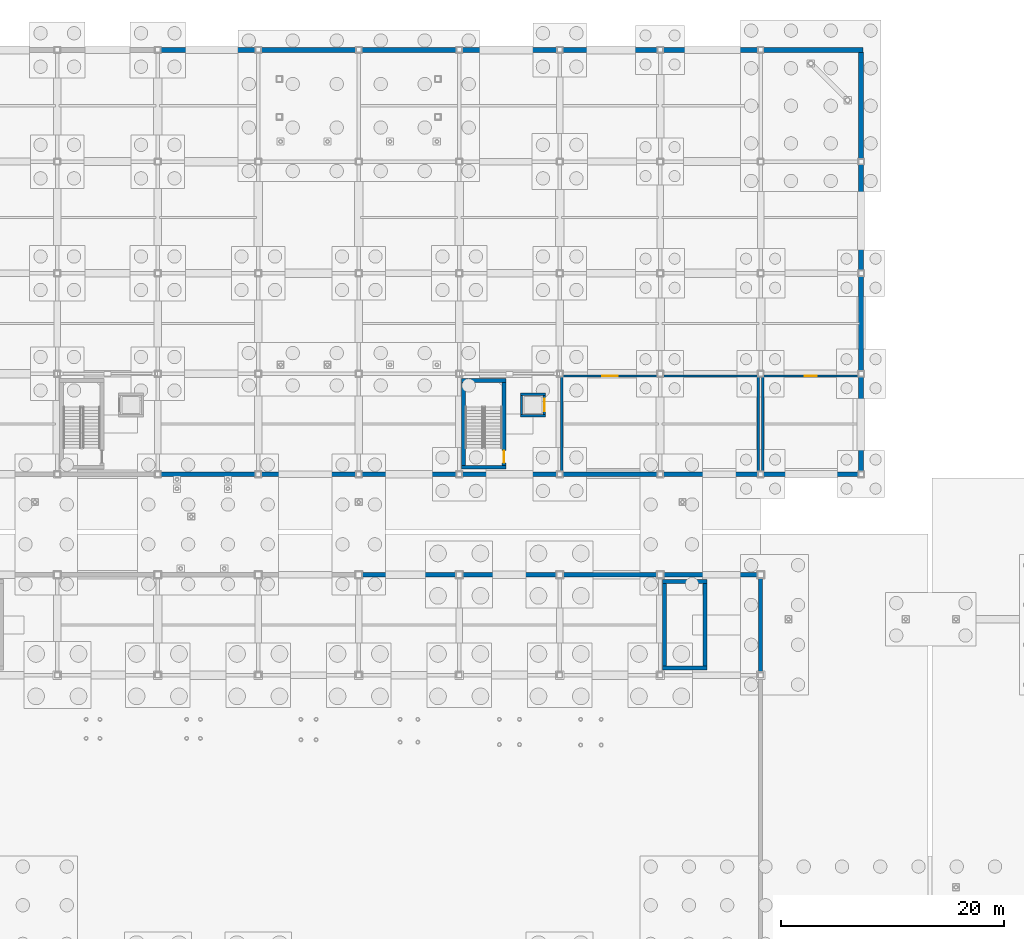
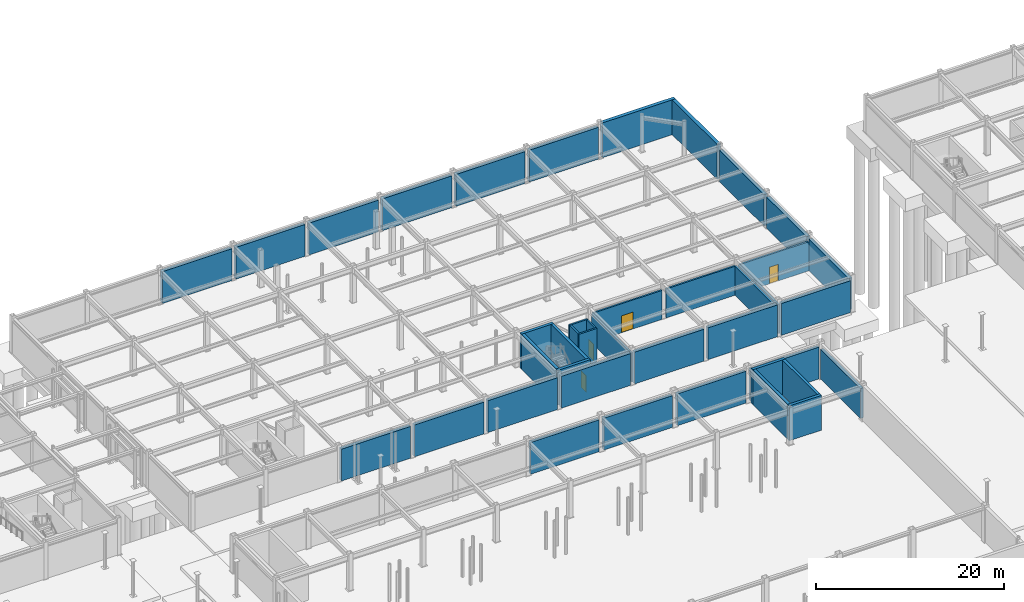
# One storey, part 55 of 74: 41 walls, 4 doors, 4 openings.
"""IFC4 building model written with IfcOpenShell, lengths in metres."""

import ifcopenshell
import ifcopenshell.guid

model = None  # the IFC model being written
_history = None  # IfcOwnerHistory: only IFC2X3 demands one
_inside = {}  # id of a spatial element -> (the spatial element, [elements in it])
_under = {}  # id of a project, library or spatial element -> (it, [spatial elements below it])
_declared = {}  # id of a project -> (the project, [libraries it declares])
_typed = {}  # id of a type object -> (the type object, [elements of that type])
_made_of = {}  # id of a material, layer set ... -> (it, [elements and type objects made of it])


def new_model(schema):
    """Start an empty IFC model of exactly this schema.

    Asked for "IFC4X3", IfcOpenShell would pick the latest addendum, in which some entities
    have other attributes; the version numbers below select the first issue.
    IFC2X3 requires an IfcOwnerHistory on every rooted entity: one is made here for all.
    """
    global model, _history
    if schema == "IFC4X3":
        model = ifcopenshell.file(schema_version=(4, 3, 0, 0))
    else:
        model = ifcopenshell.file(schema=schema)
    _inside.clear()
    _under.clear()
    _declared.clear()
    _typed.clear()
    _made_of.clear()
    _history = None
    if model.schema == "IFC2X3":
        org = make("IfcOrganization", Name="unknown")
        user = make(
            "IfcPersonAndOrganization",
            ThePerson=make("IfcPerson", FamilyName="unknown"),
            TheOrganization=org,
        )
        app = make(
            "IfcApplication",
            ApplicationDeveloper=org,
            Version="unknown",
            ApplicationFullName="unknown",
            ApplicationIdentifier="unknown",
        )
        _history = make(
            "IfcOwnerHistory",
            OwningUser=user,
            OwningApplication=app,
            ChangeAction="ADDED",
            CreationDate=0,
        )
    return model


def make(cls, **values):
    """One entity of the class cls with the attributes given. An attribute that is None is left unset."""
    return model.create_entity(
        cls, **{name: value for name, value in values.items() if value is not None}
    )


def rooted(cls, **values):
    """An entity with a GlobalId (a new one), such as an element, a storey or a relation."""
    return make(cls, GlobalId=ifcopenshell.guid.new(), OwnerHistory=_history, **values)


def si_unit(unit_type, name, prefix=None):
    """IfcSIUnit, for example si_unit("LENGTHUNIT", "METRE", prefix="MILLI")."""
    return make("IfcSIUnit", UnitType=unit_type, Prefix=prefix, Name=name)


def assignment(units):
    """IfcUnitAssignment: the units of a project."""
    return None if units is None else make("IfcUnitAssignment", Units=units)


def point(xyz):
    """IfcCartesianPoint."""
    return None if xyz is None else make("IfcCartesianPoint", Coordinates=xyz)


def direction(xyz):
    """IfcDirection."""
    return None if xyz is None else make("IfcDirection", DirectionRatios=xyz)


def frame(location, z_axis=None, x_axis=None):
    """IfcAxis2Placement3D, a coordinate frame: its origin and axes. An axis left out is left unset."""
    return make(
        "IfcAxis2Placement3D",
        Location=point(location),
        Axis=direction(z_axis),
        RefDirection=direction(x_axis),
    )


def frame_2d(location, x_axis=None):
    """IfcAxis2Placement2D, a coordinate frame in the plane: its origin and x axis."""
    return make(
        "IfcAxis2Placement2D", Location=point(location), RefDirection=direction(x_axis)
    )


def origin():
    """The frame at (0, 0, 0) with its axes left unset."""
    return frame((0.0, 0.0, 0.0))


def place(relative_to, where):
    """IfcLocalPlacement: puts the frame where relative to a parent placement (None: the world)."""
    return make(
        "IfcLocalPlacement", PlacementRelTo=relative_to, RelativePlacement=where
    )


def context(
    kind, dimensions, precision=None, world=None, true_north=None, identifier=None
):
    """IfcGeometricRepresentationContext, for example the 3D "Model" context."""
    return make(
        "IfcGeometricRepresentationContext",
        ContextIdentifier=identifier,
        ContextType=kind,
        CoordinateSpaceDimension=dimensions,
        Precision=precision,
        WorldCoordinateSystem=world,
        TrueNorth=true_north,
    )


def subcontext(parent, identifier, kind, view, scale=None):
    """IfcGeometricRepresentationSubContext, for example "Body" below "Model"."""
    return make(
        "IfcGeometricRepresentationSubContext",
        ContextIdentifier=identifier,
        ContextType=kind,
        ParentContext=parent,
        TargetScale=scale,
        TargetView=view,
    )


def project(units=None, contexts=None):
    """IfcProject with its units and contexts."""
    return rooted(
        "IfcProject",
        Name="project",
        RepresentationContexts=contexts,
        UnitsInContext=assignment(units),
    )


def spatial(cls, under=None, at=None, **own):
    """A site, building, storey or space (cls), placed at a placement, below another one or the project."""
    s = rooted(cls, ObjectPlacement=at, **own)
    if under is not None:
        _under.setdefault(under.id(), (under, []))[1].append(s)
    return s


def profile(cls, at=None, kind="AREA", **sizes):
    """A parametric profile (cls). Its sizes go by their IFC names, for example OverallWidth=200.0."""
    return make(cls, ProfileType=kind, Position=at, **sizes)


def rectangle(**sizes):
    """IfcRectangleProfileDef."""
    return profile("IfcRectangleProfileDef", **sizes)


def extrude(swept, where, along, depth):
    """IfcExtrudedAreaSolid: the profile swept, set in the frame where, extruded along a direction by depth."""
    return make(
        "IfcExtrudedAreaSolid",
        SweptArea=swept,
        Position=where,
        ExtrudedDirection=direction(along),
        Depth=depth,
    )


def shape(context_of_items, identifier, shape_type, items):
    """IfcShapeRepresentation: the items that make up one representation, for example the "Body"."""
    return make(
        "IfcShapeRepresentation",
        ContextOfItems=context_of_items,
        RepresentationIdentifier=identifier,
        RepresentationType=shape_type,
        Items=items,
    )


def material(Name=None, Category=None):
    """IfcMaterial."""
    return make("IfcMaterial", Name=Name, Category=Category)


def layer(
    of_material, thickness, ventilated=None, Name=None, Category=None, Priority=None
):
    """IfcMaterialLayer: one layer of a wall or slab, of a material (None: an air gap)."""
    return make(
        "IfcMaterialLayer",
        Material=of_material,
        LayerThickness=thickness,
        IsVentilated=ventilated,
        Name=Name,
        Category=Category,
        Priority=Priority,
    )


def layer_set(layers, Name=None):
    """IfcMaterialLayerSet."""
    return make("IfcMaterialLayerSet", MaterialLayers=layers, LayerSetName=Name)


def made_of(thing, what):
    """Note that an element or type object is made of a material, layer set ...; save() writes the relation."""
    if what is not None:
        _made_of.setdefault(what.id(), (what, []))[1].append(thing)
    return thing


def type_object(cls, material=None, **own):
    """A type object (cls), such as IfcWallType, which elements share."""
    return made_of(rooted(cls, **own), material)


def element(
    cls,
    number,
    at=None,
    inside=None,
    cuts=None,
    type_object=None,
    material=None,
    context=None,
    identifier="Body",
    shape_type=None,
    held_by="IfcProductDefinitionShape",
    body=None,
    shapes=None,
    **own,
):
    """One element of the class cls, such as IfcWall. Its Tag is "e" and its number.

    at: its placement. inside: the storey or other place that contains it. cuts: it is an
    opening in that element (IfcRelVoidsElement). A single representation is given by context,
    identifier, shape_type and body (its items); several are given by shapes. held_by: the class
    of the entity that holds the representations. save() writes the other relations.
    """
    e = rooted(cls, Tag="e%d" % number, ObjectPlacement=at, **own)
    if body is not None:
        shapes = [shape(context, identifier, shape_type, body)]
    if shapes is not None:
        e.Representation = make(held_by, Representations=shapes)
    if inside is not None:
        _inside.setdefault(inside.id(), (inside, []))[1].append(e)
    if cuts is not None:
        rooted(
            "IfcRelVoidsElement", RelatingBuildingElement=cuts, RelatedOpeningElement=e
        )
    if type_object is not None:
        _typed.setdefault(type_object.id(), (type_object, []))[1].append(e)
    return made_of(e, material)


def fill(opening, filler):
    """IfcRelFillsElement: the door or window that sits in an opening."""
    return rooted(
        "IfcRelFillsElement",
        RelatingOpeningElement=opening,
        RelatedBuildingElement=filler,
    )


def aggregate(whole, parts):
    """IfcRelAggregates: a whole, such as a stair, and the parts it consists of."""
    return rooted("IfcRelAggregates", RelatingObject=whole, RelatedObjects=parts)


def save(model, path):
    """Write the relations noted so far, then the file.

    IfcRelAggregates (storeys below a building ...), IfcRelContainedInSpatialStructure (elements
    in a storey), IfcRelDefinesByType, IfcRelAssociatesMaterial and IfcRelDeclares: one each for
    every whole, place, type object, material and project.
    """
    for whole, parts in _under.values():
        aggregate(whole, parts)
    for where, things in _inside.values():
        rooted(
            "IfcRelContainedInSpatialStructure",
            RelatedElements=things,
            RelatingStructure=where,
        )
    for kind, things in _typed.values():
        rooted("IfcRelDefinesByType", RelatedObjects=things, RelatingType=kind)
    for what, things in _made_of.values():
        rooted("IfcRelAssociatesMaterial", RelatedObjects=things, RelatingMaterial=what)
    for by, libraries in _declared.values():
        rooted("IfcRelDeclares", RelatingContext=by, RelatedDefinitions=libraries)
    model.write(path)


model = new_model("IFC4")

# Units and contexts
model_context = context("Model", 3, precision=1e-05, world=origin(), true_north=direction((0.0, 1.0)))
body_context = subcontext(model_context, "Body", "Model", "MODEL_VIEW")
ifc_project = project(units=[si_unit("LENGTHUNIT", "METRE"), si_unit("AREAUNIT", "SQUARE_METRE"), si_unit("VOLUMEUNIT", "CUBIC_METRE"), si_unit("PLANEANGLEUNIT", "RADIAN"), si_unit("MASSUNIT", "GRAM", prefix="KILO")], contexts=[model_context])

# Site, building, storey
site_placement = place(None, origin())
site = spatial("IfcSite", under=ifc_project, at=site_placement, CompositionType="ELEMENT")
building_placement = place(site_placement, origin())
building = spatial("IfcBuilding", under=site, at=building_placement, Name="Suzunagisa Mobility Hub", CompositionType="ELEMENT")
storey_placement = place(building_placement, frame((0.0, 0.0, -4.800048828125)))
storey = spatial("IfcBuildingStorey", under=building, at=storey_placement, Name="B1", CompositionType="ELEMENT", Elevation=-4.800048828125)

# Walls
ifc_material_1 = material(Name="Concrete C35/45", Category="concrete")
ifc_layer_1 = layer(ifc_material_1, 0.419921875)
ifc_layer_set_1 = layer_set([ifc_layer_1], Name="Concrete C35/45")
wall_type_1 = type_object("IfcWallType", Name="Exterior Wall EW-02 420mm", PredefinedType="USERDEFINED", material=ifc_layer_set_1)
for number, where, z_axis, x_axis, name in (
    (1, (63.25, 80.0, 0.0), (0.0, 0.0, 1.0), (1.0, 0.0, 0.0), "B1 Perimeter Retaining Wall RW-138"),
    (2, (72.25, 80.0, 0.0), (0.0, 0.0, 1.0), (1.0, 0.0, 0.0), "B1 Perimeter Retaining Wall RW-139"),
    (3, (81.25, 80.0, 0.0), (0.0, 0.0, 1.0), (1.0, 0.0, 0.0), "B1 Perimeter Retaining Wall RW-140"),
    (4, (90.25, 80.0, 0.0), (0.0, 0.0, 1.0), (1.0, 0.0, 0.0), "B1 Perimeter Retaining Wall RW-141"),
    (5, (99.25, 80.0, 0.0), (0.0, 0.0, 1.0), (1.0, 0.0, 0.0), "B1 Perimeter Retaining Wall RW-142"),
    (6, (108.25, 80.0, 0.0), (0.0, 0.0, 1.0), (1.0, 0.0, 0.0), "B1 Perimeter Retaining Wall RW-143"),
    (7, (117.25, 80.0, 0.0), (0.0, 0.0, 1.0), (1.0, 0.0, 0.0), "B1 Perimeter Retaining Wall RW-144"),
):
    element("IfcWall", number, at=place(storey_placement, frame(where, z_axis=z_axis, x_axis=x_axis)), inside=storey, type_object=wall_type_1, Name=name, ObjectType="RETAINING WALL", PredefinedType="USERDEFINED", context=body_context, shape_type="SweptSolid", body=[
        extrude(rectangle(XDim=8.5, YDim=0.419921875, at=frame_2d((4.25, 0.0))), origin(), (0.0, 0.0, 1.0), 4.130126953125),
    ])
for number, where, z_axis, x_axis, name in (
    (8, (126.0, 80.25, 0.0), (0.0, 0.0, 1.0), (0.0, 1.0, 0.0), "B1 Perimeter Retaining Wall RW-145"),
    (9, (126.0, 89.25, 0.0), (0.0, 0.0, 1.0), (0.0, 1.0, 0.0), "B1 Perimeter Retaining Wall RW-146"),
):
    element("IfcWall", number, at=place(storey_placement, frame(where, z_axis=z_axis, x_axis=x_axis)), inside=storey, type_object=wall_type_1, Name=name, ObjectType="RETAINING WALL", PredefinedType="USERDEFINED", context=body_context, shape_type="SweptSolid", body=[
        extrude(rectangle(XDim=8.5, YDim=0.419921875, at=frame_2d((4.25, 0.0))), origin(), (0.0, 0.0, 1.0), 4.070068359375),
    ])
wall_1_placement = place(storey_placement, frame((126.0, 98.25, 0.0), z_axis=(0.0, 0.0, 1.0), x_axis=(0.0, 1.0, 0.0)))
element("IfcWall", 10, at=wall_1_placement, inside=storey, type_object=wall_type_1, Name="B1 Perimeter Retaining Wall RW-147", ObjectType="RETAINING WALL", PredefinedType="USERDEFINED", context=body_context, shape_type="SweptSolid", body=[
    extrude(rectangle(XDim=9.5, YDim=0.419921875, at=frame_2d((4.75, 0.0))), origin(), (0.0, 0.0, 1.0), 4.070068359375),
])
wall_2_placement = place(storey_placement, frame((126.0, 108.25, 0.0), z_axis=(0.0, 0.0, 1.0), x_axis=(0.0, 1.0, 0.0)))
element("IfcWall", 11, at=wall_2_placement, inside=storey, type_object=wall_type_1, Name="B1 Perimeter Retaining Wall RW-148", ObjectType="RETAINING WALL", PredefinedType="USERDEFINED", context=body_context, shape_type="SweptSolid", body=[
    extrude(rectangle(XDim=9.56005859375, YDim=0.419921875, at=frame_2d((4.780029296875, 0.0))), origin(), (0.0, 0.0, 1.0), 4.52001953125),
])
wall_3_placement = place(storey_placement, frame((126.18994140625, 118.0, 0.0), z_axis=(0.0, 0.0, 1.0), x_axis=(-1.0, 0.0, 0.0)))
element("IfcWall", 12, at=wall_3_placement, inside=storey, type_object=wall_type_1, Name="B1 Perimeter Retaining Wall RW-149", ObjectType="RETAINING WALL", PredefinedType="USERDEFINED", context=body_context, shape_type="SweptSolid", body=[
    extrude(rectangle(XDim=8.93994140625, YDim=0.419921875, at=frame_2d((4.469970703125, 0.0))), origin(), (0.0, 0.0, 1.0), 4.52001953125),
])
for number, where, z_axis, x_axis, name in (
    (13, (116.75, 118.0, 0.0), (0.0, 0.0, 1.0), (-1.0, 0.0, 0.0), "B1 Perimeter Retaining Wall RW-150"),
    (14, (107.75, 118.0, 0.0), (0.0, 0.0, 1.0), (-1.0, 0.0, 0.0), "B1 Perimeter Retaining Wall RW-151"),
    (15, (98.75, 118.0, 0.0), (0.0, 0.0, 1.0), (-1.0, 0.0, 0.0), "B1 Perimeter Retaining Wall RW-152"),
    (16, (89.75, 118.0, 0.0), (0.0, 0.0, 1.0), (-1.0, 0.0, 0.0), "B1 Perimeter Retaining Wall RW-153"),
    (17, (80.75, 118.0, 0.0), (0.0, 0.0, 1.0), (-1.0, 0.0, 0.0), "B1 Perimeter Retaining Wall RW-154"),
    (18, (71.75, 118.0, 0.0), (0.0, 0.0, 1.0), (-1.0, 0.0, 0.0), "B1 Perimeter Retaining Wall RW-155"),
):
    element("IfcWall", number, at=place(storey_placement, frame(where, z_axis=z_axis, x_axis=x_axis)), inside=storey, type_object=wall_type_1, Name=name, ObjectType="RETAINING WALL", PredefinedType="USERDEFINED", context=body_context, shape_type="SweptSolid", body=[
        extrude(rectangle(XDim=8.5, YDim=0.419921875, at=frame_2d((4.25, 0.0))), origin(), (0.0, 0.0, 1.0), 4.130126953125),
    ])
ifc_layer_2 = layer(ifc_material_1, 0.3798828125)
ifc_layer_set_2 = layer_set([ifc_layer_2], Name="Concrete C35/45")
wall_type_2 = type_object("IfcWallType", Name="Exterior Wall EW-06 380mm", PredefinedType="USERDEFINED", material=ifc_layer_set_2)
wall_4_placement = place(storey_placement, frame((117.0, 62.25, 0.0), z_axis=(0.0, 0.0, 1.0), x_axis=(0.0, 1.0, 0.0)))
element("IfcWall", 19, at=wall_4_placement, inside=storey, type_object=wall_type_2, Name="B1 Perimeter Retaining Wall RW-60", ObjectType="RETAINING WALL", PredefinedType="USERDEFINED", context=body_context, shape_type="SweptSolid", body=[
    extrude(rectangle(XDim=8.449951171875, YDim=0.3798828125, at=frame_2d((4.22509765625, 0.0))), origin(), (0.0, 0.0, 1.0), 3.8701171875),
])
for number, where, z_axis, x_axis, name in (
    (20, (116.699951171875, 71.0, 0.0), (0.0, 0.0, 1.0), (-1.0, 0.0, 0.0), "B1 Perimeter Retaining Wall RW-61"),
    (21, (107.699951171875, 71.0, 0.0), (0.0, 0.0, 1.0), (-1.0, 0.0, 0.0), "B1 Perimeter Retaining Wall RW-62"),
    (22, (98.699951171875, 71.0, 0.0), (0.0, 0.0, 1.0), (-1.0, 0.0, 0.0), "B1 Perimeter Retaining Wall RW-63"),
    (23, (89.699951171875, 71.0, 0.0), (0.0, 0.0, 1.0), (-1.0, 0.0, 0.0), "B1 Perimeter Retaining Wall RW-64"),
):
    element("IfcWall", number, at=place(storey_placement, frame(where, z_axis=z_axis, x_axis=x_axis)), inside=storey, type_object=wall_type_2, Name=name, ObjectType="RETAINING WALL", PredefinedType="USERDEFINED", context=body_context, shape_type="SweptSolid", body=[
        extrude(rectangle(XDim=8.39990234375, YDim=0.3798828125, at=frame_2d((4.199951171875, 0.0))), origin(), (0.0, 0.0, 1.0), 4.130126953125),
    ])

# Wall, opening, door
ifc_material_2 = material(Name="Fire-Rated Gypsum Stud Partition", Category="gypsum")
ifc_layer_3 = layer(ifc_material_2, 0.2099609375)
ifc_layer_set_3 = layer_set([ifc_layer_3], Name="Fire-Rated Gypsum Stud Partition")
wall_type_3 = type_object("IfcWallType", Name="Interior Wall IW-03 210mm", PredefinedType="PARTITIONING", material=ifc_layer_set_3)
wall_5_placement = place(storey_placement, frame((97.625, 85.330078125, 0.0), z_axis=(0.0, 0.0, 1.0), x_axis=(0.0, 1.0, 0.0)))
wall_5 = element("IfcWall", 24, at=wall_5_placement, inside=storey, type_object=wall_type_3, Name="B1 Lift LF-07 Shaft Front Wall", PredefinedType="PARTITIONING", context=body_context, shape_type="SweptSolid", body=[
    extrude(rectangle(XDim=1.739990234375, YDim=0.2099609375, at=frame_2d((0.8701171875, 0.0))), origin(), (0.0, 0.0, 1.0), 4.52001953125),
])
opening_1_placement = place(wall_5_placement, frame((0.320068359375, 0.0, 0.0)))
opening_1 = element("IfcOpeningElement", 25, at=opening_1_placement, cuts=wall_5, Name="Opening LD-01", PredefinedType="OPENING", context=body_context, shape_type="SweptSolid", body=[
    extrude(rectangle(XDim=1.10009765625, YDim=2.14990234375, at=frame_2d((0.550048828125, 1.074951171875))), frame((0.0, 0.115966796875, 0.0), z_axis=(0.0, -1.0, 0.0), x_axis=(1.0, 0.0, 0.0)), (0.0, 0.0, 1.0), 0.23193359375),
])
ifc_material_3 = material(Name="Brushed Stainless Steel SUS304", Category="metal")
door_type_1 = type_object("IfcDoorType", Name="Lift Landing Sliding Door LD-01 1100x2150", OperationType="SLIDING_TO_LEFT", PredefinedType="DOOR", material=ifc_material_3)
door_1_placement = place(opening_1_placement, origin())
door_1 = element("IfcDoor", 26, at=door_1_placement, inside=storey, type_object=door_type_1, Name="B1 Lift LF-07 Sliding Landing Door", OperationType="SLIDING_TO_LEFT", OverallHeight=2.14990234375, OverallWidth=1.10009765625, PredefinedType="DOOR", context=body_context, shape_type="SweptSolid", body=[
    extrude(rectangle(XDim=1.10009765625, YDim=2.14990234375, at=frame_2d((0.550048828125, 1.074951171875))), frame((0.0, 0.02490234375, 0.0), z_axis=(0.0, -1.0, 0.0), x_axis=(1.0, 0.0, 0.0)), (0.0, 0.0, 1.0), 0.050048828125),
])
fill(opening_1, door_1)

# Walls
wall_6_placement = place(storey_placement, frame((95.574951171875, 85.330078125, 0.0), z_axis=(0.0, 0.0, 1.0), x_axis=(0.0, 1.0, 0.0)))
element("IfcWall", 27, at=wall_6_placement, inside=storey, type_object=wall_type_3, Name="B1 Lift LF-07 Shaft Back Wall", PredefinedType="PARTITIONING", context=body_context, shape_type="SweptSolid", body=[
    extrude(rectangle(XDim=1.739990234375, YDim=0.2099609375, at=frame_2d((0.8701171875, 0.0))), origin(), (0.0, 0.0, 1.0), 4.52001953125),
])
for number, where, z_axis, x_axis, name in (
    (28, (95.469970703125, 85.22509765625, 0.0), (0.0, 0.0, 1.0), (1.0, 0.0, 0.0), "B1 Lift LF-07 Shaft South Wall"),
    (29, (95.469970703125, 87.175048828125, 0.0), (0.0, 0.0, 1.0), (1.0, 0.0, 0.0), "B1 Lift LF-07 Shaft North Wall"),
):
    element("IfcWall", number, at=place(storey_placement, frame(where, z_axis=z_axis, x_axis=x_axis)), inside=storey, type_object=wall_type_3, Name=name, PredefinedType="PARTITIONING", context=body_context, shape_type="SweptSolid", body=[
        extrude(rectangle(XDim=2.260009765625, YDim=0.2099609375, at=frame_2d((1.1298828125, 0.0))), origin(), (0.0, 0.0, 1.0), 4.52001953125),
    ])

# Wall, opening, door
wall_7_placement = place(storey_placement, frame((99.25, 88.800048828125, 0.0), z_axis=(0.0, 0.0, 1.0), x_axis=(1.0, 0.0, 0.0)))
wall_7 = element("IfcWall", 30, at=wall_7_placement, inside=storey, type_object=wall_type_3, Name="B1 Foam Extinguishing and Sprinkler Pump Plant Room Partition PW-678", PredefinedType="PARTITIONING", context=body_context, shape_type="SweptSolid", body=[
    extrude(rectangle(XDim=8.5, YDim=0.2099609375, at=frame_2d((4.25, 0.0))), origin(), (0.0, 0.0, 1.0), 3.77001953125),
])
opening_2_placement = place(wall_7_placement, frame((3.550048828125, 0.0, 0.0)))
opening_2 = element("IfcOpeningElement", 31, at=opening_2_placement, cuts=wall_7, Name="Opening DR-21", PredefinedType="OPENING", context=body_context, shape_type="SweptSolid", body=[
    extrude(rectangle(XDim=1.39990234375, YDim=2.199951171875, at=frame_2d((0.699951171875, 1.10009765625))), frame((0.0, 0.115966796875, 0.0), z_axis=(0.0, -1.0, 0.0), x_axis=(1.0, 0.0, 0.0)), (0.0, 0.0, 1.0), 0.23193359375),
])
ifc_material_4 = material(Name="Plant Leaf-and-Half Steel Fire Door", Category="steel")
door_type_2 = type_object("IfcDoorType", Name="Interior Door DR-21 1400x2200", OperationType="SINGLE_SWING_LEFT", PredefinedType="DOOR", material=ifc_material_4)
door_2_placement = place(opening_2_placement, origin())
door_2 = element("IfcDoor", 32, at=door_2_placement, inside=storey, type_object=door_type_2, Name="B1 Foam Extinguishing and Sprinkler Pump Plant Room Door DR-171", OperationType="SINGLE_SWING_RIGHT", OverallHeight=2.199951171875, OverallWidth=1.39990234375, PredefinedType="DOOR", context=body_context, shape_type="SweptSolid", body=[
    extrude(rectangle(XDim=1.39990234375, YDim=2.199951171875, at=frame_2d((0.699951171875, 1.10009765625))), frame((0.0, 0.02490234375, 0.0), z_axis=(0.0, -1.0, 0.0), x_axis=(1.0, 0.0, 0.0)), (0.0, 0.0, 1.0), 0.050048828125),
])
fill(opening_2, door_2)

# Walls
for number, where, z_axis, x_axis, name in (
    (33, (108.25, 88.800048828125, 0.0), (0.0, 0.0, 1.0), (1.0, 0.0, 0.0), "B1 Foam Extinguishing and Sprinkler Pump Plant Room Partition PW-679"),
    (34, (99.199951171875, 80.25, 0.0), (0.0, 0.0, 1.0), (0.0, 1.0, 0.0), "B1 Foam Extinguishing and Sprinkler Pump Plant Room Partition PW-680"),
    (35, (116.800048828125, 80.25, 0.0), (0.0, 0.0, 1.0), (0.0, 1.0, 0.0), "B1 Foam Extinguishing and Sprinkler Pump Plant Room Partition PW-681"),
):
    element("IfcWall", number, at=place(storey_placement, frame(where, z_axis=z_axis, x_axis=x_axis)), inside=storey, type_object=wall_type_3, Name=name, PredefinedType="PARTITIONING", context=body_context, shape_type="SweptSolid", body=[
        extrude(rectangle(XDim=8.5, YDim=0.2099609375, at=frame_2d((4.25, 0.0))), origin(), (0.0, 0.0, 1.0), 3.77001953125),
    ])

# Wall, opening, door
wall_8_placement = place(storey_placement, frame((117.25, 88.800048828125, 0.0), z_axis=(0.0, 0.0, 1.0), x_axis=(1.0, 0.0, 0.0)))
wall_8 = element("IfcWall", 36, at=wall_8_placement, inside=storey, type_object=wall_type_3, Name="B1 Emergency Fire-Water Retention Tank Room Partition PW-682", PredefinedType="PARTITIONING", context=body_context, shape_type="SweptSolid", body=[
    extrude(rectangle(XDim=8.5, YDim=0.2099609375, at=frame_2d((4.25, 0.0))), origin(), (0.0, 0.0, 1.0), 3.77001953125),
])
opening_3_placement = place(wall_8_placement, frame((3.699951171875, 0.0, 0.0)))
opening_3 = element("IfcOpeningElement", 37, at=opening_3_placement, cuts=wall_8, Name="Opening DR-11", PredefinedType="OPENING", context=body_context, shape_type="SweptSolid", body=[
    extrude(rectangle(XDim=1.10009765625, YDim=2.14990234375, at=frame_2d((0.550048828125, 1.074951171875))), frame((0.0, 0.115966796875, 0.0), z_axis=(0.0, -1.0, 0.0), x_axis=(1.0, 0.0, 0.0)), (0.0, 0.0, 1.0), 0.23193359375),
])
ifc_material_5 = material(Name="Riser and Switchroom Fire Door")
door_type_3 = type_object("IfcDoorType", Name="Interior Door DR-11 1100x2150", OperationType="SINGLE_SWING_LEFT", PredefinedType="DOOR", material=ifc_material_5)
door_3_placement = place(opening_3_placement, origin())
door_3 = element("IfcDoor", 38, at=door_3_placement, inside=storey, type_object=door_type_3, Name="B1 Emergency Fire-Water Retention Tank Room Door DR-172", OperationType="SINGLE_SWING_LEFT", OverallHeight=2.14990234375, OverallWidth=1.10009765625, PredefinedType="DOOR", context=body_context, shape_type="SweptSolid", body=[
    extrude(rectangle(XDim=1.10009765625, YDim=2.14990234375, at=frame_2d((0.550048828125, 1.074951171875))), frame((0.0, 0.02490234375, 0.0), z_axis=(0.0, -1.0, 0.0), x_axis=(1.0, 0.0, 0.0)), (0.0, 0.0, 1.0), 0.050048828125),
])
fill(opening_3, door_3)

# Walls
wall_9_placement = place(storey_placement, frame((117.199951171875, 80.25, 0.0), z_axis=(0.0, 0.0, 1.0), x_axis=(0.0, 1.0, 0.0)))
element("IfcWall", 39, at=wall_9_placement, inside=storey, type_object=wall_type_3, Name="B1 Emergency Fire-Water Retention Tank Room Partition PW-683", PredefinedType="PARTITIONING", context=body_context, shape_type="SweptSolid", body=[
    extrude(rectangle(XDim=8.5, YDim=0.2099609375, at=frame_2d((4.25, 0.0))), origin(), (0.0, 0.0, 1.0), 3.77001953125),
])
ifc_layer_4 = layer(ifc_material_1, 0.35009765625)
ifc_layer_set_4 = layer_set([ifc_layer_4], Name="Concrete C35/45")
wall_type_4 = type_object("IfcWallType", Name="Interior Wall IW-04 350mm", PredefinedType="SHEAR", material=ifc_layer_set_4)
for number, where, z_axis, x_axis, name in (
    (40, (108.2099609375, 62.625, 0.0), (0.0, 0.0, 1.0), (1.0, 0.0, 0.0), "B1 Core C2B Foundation Shear Wall SW-97"),
    (41, (108.2099609375, 70.375, 0.0), (0.0, 0.0, 1.0), (1.0, 0.0, 0.0), "B1 Core C2B Foundation Shear Wall SW-98"),
):
    element("IfcWall", number, at=place(storey_placement, frame(where, z_axis=z_axis, x_axis=x_axis)), inside=storey, type_object=wall_type_4, Name=name, PredefinedType="SHEAR", context=body_context, shape_type="SweptSolid", body=[
        extrude(rectangle(XDim=3.97998046875, YDim=0.35009765625, at=frame_2d((1.989990234375, 0.0))), origin(), (0.0, 0.0, 1.0), 4.52001953125),
    ])
for number, where, z_axis, x_axis, name in (
    (42, (108.385009765625, 62.800048828125, 0.0), (0.0, 0.0, 1.0), (0.0, 1.0, 0.0), "B1 Core C2B Foundation Shear Wall SW-99"),
    (43, (112.014892578125, 62.800048828125, 0.0), (0.0, 0.0, 1.0), (0.0, 1.0, 0.0), "B1 Core C2B Foundation Shear Wall SW-100"),
):
    element("IfcWall", number, at=place(storey_placement, frame(where, z_axis=z_axis, x_axis=x_axis)), inside=storey, type_object=wall_type_4, Name=name, PredefinedType="SHEAR", context=body_context, shape_type="SweptSolid", body=[
        extrude(rectangle(XDim=7.39990234375, YDim=0.35009765625, at=frame_2d((3.699951171875, 0.0))), origin(), (0.0, 0.0, 1.0), 4.52001953125),
    ])
for number, where, z_axis, x_axis, name in (
    (44, (90.2099609375, 80.625, 0.0), (0.0, 0.0, 1.0), (1.0, 0.0, 0.0), "B1 Core C4 Shear Wall SW-245"),
    (45, (90.2099609375, 88.375, 0.0), (0.0, 0.0, 1.0), (1.0, 0.0, 0.0), "B1 Core C4 Shear Wall SW-246"),
):
    element("IfcWall", number, at=place(storey_placement, frame(where, z_axis=z_axis, x_axis=x_axis)), inside=storey, type_object=wall_type_4, Name=name, PredefinedType="SHEAR", context=body_context, shape_type="SweptSolid", body=[
        extrude(rectangle(XDim=3.97998046875, YDim=0.35009765625, at=frame_2d((1.989990234375, 0.0))), origin(), (0.0, 0.0, 1.0), 4.52001953125),
    ])
wall_10_placement = place(storey_placement, frame((90.385009765625, 80.800048828125, 0.0), z_axis=(0.0, 0.0, 1.0), x_axis=(0.0, 1.0, 0.0)))
element("IfcWall", 46, at=wall_10_placement, inside=storey, type_object=wall_type_4, Name="B1 Core C4 Shear Wall SW-247", PredefinedType="SHEAR", context=body_context, shape_type="SweptSolid", body=[
    extrude(rectangle(XDim=7.39990234375, YDim=0.35009765625, at=frame_2d((3.699951171875, 0.0))), origin(), (0.0, 0.0, 1.0), 4.52001953125),
])

# Wall, opening, door
wall_11_placement = place(storey_placement, frame((94.014892578125, 80.800048828125, 0.0), z_axis=(0.0, 0.0, 1.0), x_axis=(0.0, 1.0, 0.0)))
wall_11 = element("IfcWall", 47, at=wall_11_placement, inside=storey, type_object=wall_type_4, Name="B1 Core C4 Shear Wall SW-248", PredefinedType="SHEAR", context=body_context, shape_type="SweptSolid", body=[
    extrude(rectangle(XDim=7.39990234375, YDim=0.35009765625, at=frame_2d((3.699951171875, 0.0))), origin(), (0.0, 0.0, 1.0), 4.52001953125),
])
opening_4_placement = place(wall_11_placement, frame((0.219970703125, 0.0, 0.0)))
opening_4 = element("IfcOpeningElement", 48, at=opening_4_placement, cuts=wall_11, Name="Opening DR-05", PredefinedType="OPENING", context=body_context, shape_type="SweptSolid", body=[
    extrude(rectangle(XDim=1.10009765625, YDim=2.14990234375, at=frame_2d((0.550048828125, 1.074951171875))), frame((0.0, 0.18603515625, 0.0), z_axis=(0.0, -1.0, 0.0), x_axis=(1.0, 0.0, 0.0)), (0.0, 0.0, 1.0), 0.3720703125),
])
ifc_material_6 = material(Name="Fire-Rated Hollow Steel Stair Door", Category="steel")
door_type_4 = type_object("IfcDoorType", Name="Interior Door DR-05 1100x2150", OperationType="SINGLE_SWING_LEFT", PredefinedType="DOOR", material=ifc_material_6)
door_4_placement = place(opening_4_placement, origin())
door_4 = element("IfcDoor", 49, at=door_4_placement, inside=storey, type_object=door_type_4, Name="B1 Core C4 Escape Stair Fire Door SD-60", OperationType="SINGLE_SWING_LEFT", OverallHeight=2.14990234375, OverallWidth=1.10009765625, PredefinedType="DOOR", context=body_context, shape_type="SweptSolid", body=[
    extrude(rectangle(XDim=1.10009765625, YDim=2.14990234375, at=frame_2d((0.550048828125, 1.074951171875))), frame((0.0, 0.02490234375, 0.0), z_axis=(0.0, -1.0, 0.0), x_axis=(1.0, 0.0, 0.0)), (0.0, 0.0, 1.0), 0.050048828125),
])
fill(opening_4, door_4)

save(model, "model.ifc")
